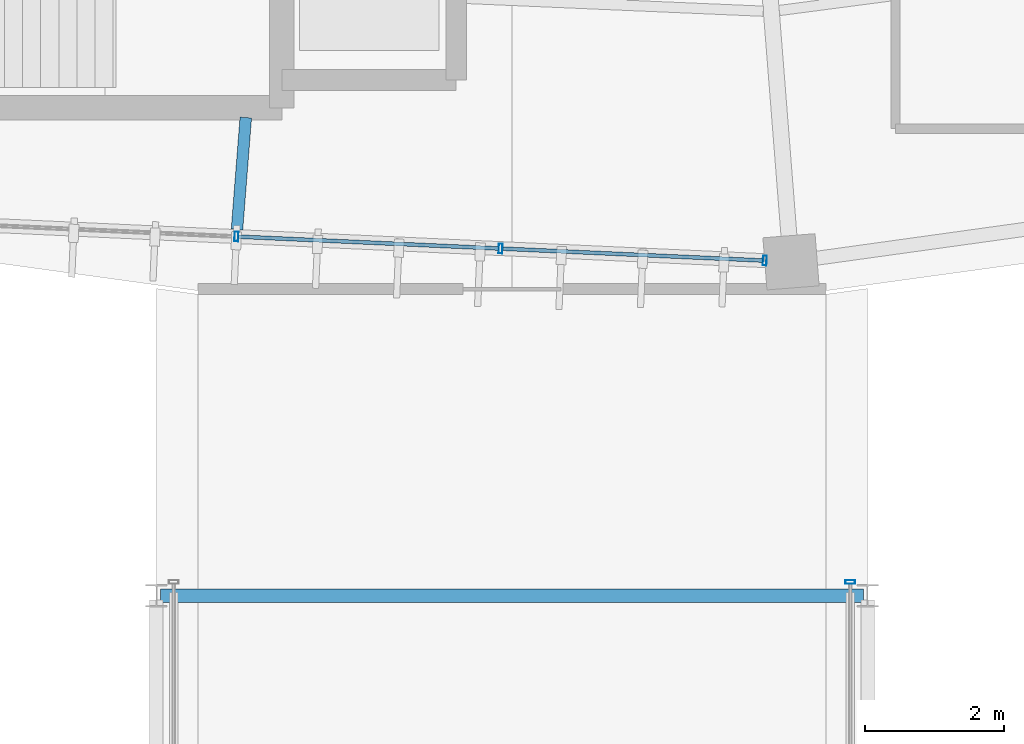
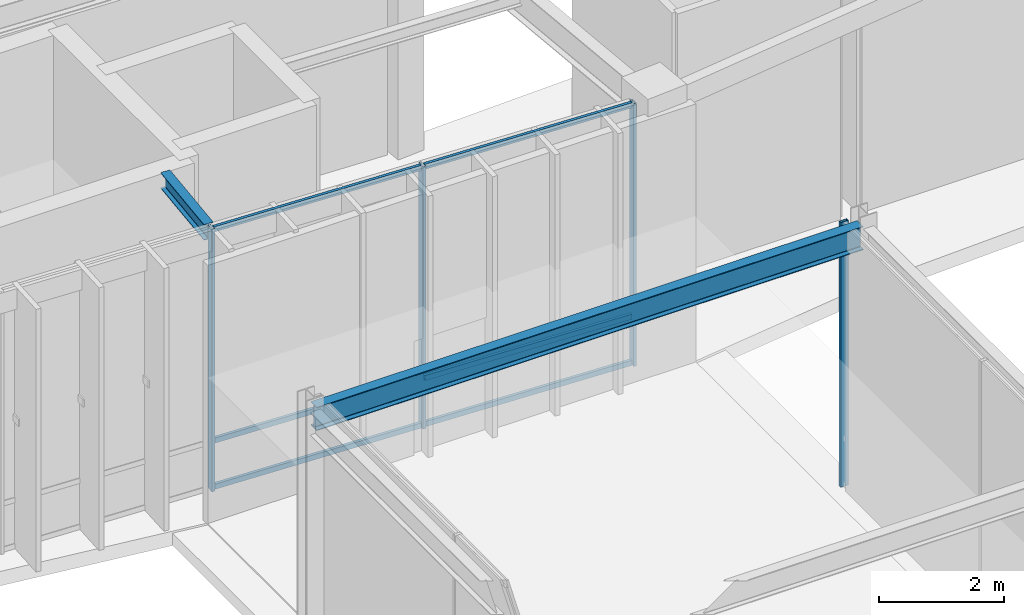
# One storey, part 37 of 157: 10 members, 2 beams, 2 elements without a shape of their own.
"""IFC4 building model written with IfcOpenShell, lengths in metres."""

from ifc_helpers import new_model, si_unit, direction, frame, origin, origin_2d, place, context, subcontext, project, spatial, hollow_rectangle, i_section, extrude, material, material_profile, profile_set, type_object, element, aggregate, save


model = new_model("IFC4")

# Units and contexts
model_context = context("Model", 3, precision=1e-05, world=origin(), true_north=direction((0.0, 1.0)))
body_context = subcontext(model_context, "Body", "Model", "MODEL_VIEW")
ifc_project = project(units=[si_unit("LENGTHUNIT", "METRE"), si_unit("AREAUNIT", "SQUARE_METRE"), si_unit("VOLUMEUNIT", "CUBIC_METRE"), si_unit("PLANEANGLEUNIT", "RADIAN"), si_unit("MASSUNIT", "GRAM", prefix="KILO"), si_unit("THERMODYNAMICTEMPERATUREUNIT", "KELVIN"), si_unit("POWERUNIT", "WATT")], contexts=[model_context])

# Site, building, storey
site_placement = place(None, origin())
site = spatial("IfcSite", under=ifc_project, at=site_placement, CompositionType="ELEMENT")
building_placement = place(site_placement, origin())
building = spatial("IfcBuilding", under=site, at=building_placement, Name="Darbajah Civic Hall", CompositionType="ELEMENT")
storey_placement = place(building_placement, origin())
storey = spatial("IfcBuildingStorey", under=building, at=storey_placement, Name="L00", CompositionType="ELEMENT", Elevation=0.0)

# Curtain wall, members
ifc_material_1 = material(Name="Anodised Bronze Aluminium and Low-E Glazing", Category="aluminium")
curtain_wall_type_1 = type_object("IfcCurtainWallType", Name="Unitised Curtain Wall CW-14 15200x5100", PredefinedType="USERDEFINED", material=ifc_material_1)
curtain_wall_1_placement = place(storey_placement, origin())
curtain_wall_1 = element("IfcCurtainWall", 1, at=curtain_wall_1_placement, inside=storey, type_object=curtain_wall_type_1, Name="L00 unitised curtain wall CW-V1O-L00-14", ObjectType="UNITISED CURTAIN WALL", PredefinedType="USERDEFINED")
ifc_material_2 = material(Name="Anodised Bronze Aluminium", Category="aluminium")
ifc_material_profile_1 = material_profile(ifc_material_2, hollow_rectangle(XDim=0.054931640625, YDim=0.139892578125, WallThickness=0.003173828125, at=origin_2d()), Name="ALU MULLION 55x140")
ifc_profile_set_1 = profile_set([ifc_material_profile_1], Name="Anodised Bronze Aluminium")
member_type_1 = type_object("IfcMemberType", Name="ALU MULLION 55x140", PredefinedType="MULLION", material=ifc_profile_set_1)
member_1_placement = place(storey_placement, frame((85.14794921875, 60.7529296875, 0.0), z_axis=(0.0, 0.0, 1.0), x_axis=(0.998962637241, -0.045537340693, 0.0)))
member_1 = element("IfcMember", 2, at=member_1_placement, type_object=member_type_1, Name="CW-V1O-L00-14 mullion 3", PredefinedType="MULLION", context=body_context, shape_type="SweptSolid", body=[
    extrude(hollow_rectangle(XDim=0.054931640625, YDim=0.139892578125, WallThickness=0.003173828125, at=origin_2d()), origin(), (0.0, 0.0, 1.0), 5.1201171875),
])
member_2_placement = place(storey_placement, frame((88.936279296875, 60.58056640625, 0.0), z_axis=(0.0, 0.0, 1.0), x_axis=(0.998962637241, -0.045537340693, 0.0)))
member_2 = element("IfcMember", 3, at=member_2_placement, type_object=member_type_1, Name="CW-V1O-L00-14 mullion 4", PredefinedType="MULLION", context=body_context, shape_type="SweptSolid", body=[
    extrude(hollow_rectangle(XDim=0.054931640625, YDim=0.139892578125, WallThickness=0.003173828125, at=origin_2d()), origin(), (0.0, 0.0, 1.0), 5.1201171875),
])
member_3_placement = place(storey_placement, frame((92.724853515625, 60.407958984375, 0.0), z_axis=(0.0, 0.0, 1.0), x_axis=(0.998962637241, -0.045537340693, 0.0)))
member_3 = element("IfcMember", 4, at=member_3_placement, type_object=member_type_1, Name="CW-V1O-L00-14 mullion 5", PredefinedType="MULLION", context=body_context, shape_type="SweptSolid", body=[
    extrude(hollow_rectangle(XDim=0.054931640625, YDim=0.139892578125, WallThickness=0.003173828125, at=origin_2d()), origin(), (0.0, 0.0, 1.0), 5.1201171875),
])

# Curtain wall, member
curtain_wall_type_2 = type_object("IfcCurtainWallType", Name="Unitised Curtain Wall CW-102 13400x5150", PredefinedType="USERDEFINED", material=ifc_material_1)
curtain_wall_2_placement = place(storey_placement, origin())
curtain_wall_2 = element("IfcCurtainWall", 5, at=curtain_wall_2_placement, inside=storey, type_object=curtain_wall_type_2, Name="L00 unitised curtain wall CW-V6-PE-L00", ObjectType="UNITISED CURTAIN WALL", PredefinedType="USERDEFINED")
member_4_placement = place(storey_placement, frame((93.949951171875, 55.800048828125, 0.0), z_axis=(0.0, 0.0, 1.0), x_axis=(0.0, 1.0, 0.0)))
member_4 = element("IfcMember", 6, at=member_4_placement, type_object=member_type_1, Name="CW-V6-PE-L00 mullion 4", PredefinedType="MULLION", context=body_context, shape_type="SweptSolid", body=[
    extrude(hollow_rectangle(XDim=0.054931640625, YDim=0.139892578125, WallThickness=0.003173828125, at=origin_2d()), origin(), (0.0, 0.0, 1.0), 5.159912109375),
])
aggregate(curtain_wall_2, [member_4])

# Member
ifc_material_profile_2 = material_profile(ifc_material_2, hollow_rectangle(XDim=0.054931640625, YDim=0.10009765625, WallThickness=0.0029296875, at=origin_2d()), Name="ALU TRANSOM 55x100")
ifc_profile_set_2 = profile_set([ifc_material_profile_2], Name="Anodised Bronze Aluminium")
member_type_2 = type_object("IfcMemberType", Name="ALU TRANSOM 55x100", PredefinedType="USERDEFINED", material=ifc_profile_set_2)
member_5_placement = place(storey_placement, frame((85.180419921875, 60.75146484375, 0.050048828125), z_axis=(0.998966242998, -0.045458171441, 0.0), x_axis=(0.045458171441, 0.998966242998, 0.0)))
member_5 = element("IfcMember", 7, at=member_5_placement, type_object=member_type_2, Name="CW-V1O-L00-14 transom 3.1", ObjectType="TRANSOM", PredefinedType="USERDEFINED", context=body_context, shape_type="SweptSolid", body=[
    extrude(hollow_rectangle(XDim=0.054931640625, YDim=0.10009765625, WallThickness=0.0029296875, at=origin_2d()), origin(), (0.0, 0.0, 1.0), 3.727294921875),
])

member_6_placement = place(storey_placement, frame((85.180419921875, 60.75146484375, 0.949951171875), z_axis=(0.998966242998, -0.045458171441, 0.0), x_axis=(0.045458171441, 0.998966242998, 0.0)))
member_6 = element("IfcMember", 8, at=member_6_placement, type_object=member_type_2, Name="CW-V1O-L00-14 transom 3.2", ObjectType="TRANSOM", PredefinedType="USERDEFINED", context=body_context, shape_type="SweptSolid", body=[
    extrude(hollow_rectangle(XDim=0.054931640625, YDim=0.10009765625, WallThickness=0.0029296875, at=origin_2d()), origin(), (0.0, 0.0, 1.0), 3.727294921875),
])

member_7_placement = place(storey_placement, frame((85.180419921875, 60.75146484375, 5.070068359375), z_axis=(0.998966242998, -0.045458171441, 0.0), x_axis=(0.045458171441, 0.998966242998, 0.0)))
member_7 = element("IfcMember", 9, at=member_7_placement, type_object=member_type_2, Name="CW-V1O-L00-14 transom 3.3", ObjectType="TRANSOM", PredefinedType="USERDEFINED", context=body_context, shape_type="SweptSolid", body=[
    extrude(hollow_rectangle(XDim=0.054931640625, YDim=0.10009765625, WallThickness=0.0029296875, at=origin_2d()), origin(), (0.0, 0.0, 1.0), 3.727294921875),
])

member_8_placement = place(storey_placement, frame((88.96875, 60.5791015625, 0.050048828125), z_axis=(0.998963402091, -0.045520558907, 0.0), x_axis=(0.045520558907, 0.998963402091, 0.0)))
member_8 = element("IfcMember", 10, at=member_8_placement, type_object=member_type_2, Name="CW-V1O-L00-14 transom 4.1", ObjectType="TRANSOM", PredefinedType="USERDEFINED", context=body_context, shape_type="SweptSolid", body=[
    extrude(hollow_rectangle(XDim=0.054931640625, YDim=0.10009765625, WallThickness=0.0029296875, at=origin_2d()), origin(), (0.0, 0.0, 1.0), 3.7275390625),
])

member_9_placement = place(storey_placement, frame((88.96875, 60.5791015625, 0.949951171875), z_axis=(0.998963402091, -0.045520558907, 0.0), x_axis=(0.045520558907, 0.998963402091, 0.0)))
member_9 = element("IfcMember", 11, at=member_9_placement, type_object=member_type_2, Name="CW-V1O-L00-14 transom 4.2", ObjectType="TRANSOM", PredefinedType="USERDEFINED", context=body_context, shape_type="SweptSolid", body=[
    extrude(hollow_rectangle(XDim=0.054931640625, YDim=0.10009765625, WallThickness=0.0029296875, at=origin_2d()), origin(), (0.0, 0.0, 1.0), 3.7275390625),
])

member_10_placement = place(storey_placement, frame((88.96875, 60.5791015625, 5.070068359375), z_axis=(0.998963402091, -0.045520558907, 0.0), x_axis=(0.045520558907, 0.998963402091, 0.0)))
member_10 = element("IfcMember", 12, at=member_10_placement, type_object=member_type_2, Name="CW-V1O-L00-14 transom 4.3", ObjectType="TRANSOM", PredefinedType="USERDEFINED", context=body_context, shape_type="SweptSolid", body=[
    extrude(hollow_rectangle(XDim=0.054931640625, YDim=0.10009765625, WallThickness=0.0029296875, at=origin_2d()), origin(), (0.0, 0.0, 1.0), 3.7275390625),
])

aggregate(curtain_wall_1, [member_1, member_2, member_3, member_5, member_6, member_7, member_8, member_9, member_10])

# Beams
ifc_material_3 = material(Name="Steel S355JR", Category="steel")
ifc_material_profile_3 = material_profile(ifc_material_3, i_section(OverallWidth=0.165771484375, OverallDepth=0.306640625, WebThickness=0.006591796875, FlangeThickness=0.01171875, FilletRadius=0.0087890625, at=origin_2d()), Name="UB 305x165x46")
ifc_profile_set_3 = profile_set([ifc_material_profile_3], Name="Steel S355JR")
beam_type_1 = type_object("IfcBeamType", Name="UB 305x165x46", PredefinedType="JOIST", material=ifc_profile_set_3)
beam_1_placement = place(storey_placement, frame((85.2822265625, 62.4599609375, 4.966796875), z_axis=(-0.078389217268, -0.996922830823, 0.0), x_axis=(0.996922830823, -0.078389217268, 0.0)))
element("IfcBeam", 13, at=beam_1_placement, inside=storey, type_object=beam_type_1, Name="L00 beam SJ-305", PredefinedType="JOIST", context=body_context, shape_type="SweptSolid", body=[
    extrude(i_section(OverallWidth=0.165771484375, OverallDepth=0.306640625, WebThickness=0.006591796875, FlangeThickness=0.01171875, FilletRadius=0.0087890625, at=origin_2d()), origin(), (0.0, 0.0, 1.0), 1.610107421875),
])
ifc_material_profile_4 = material_profile(ifc_material_3, i_section(OverallWidth=0.1904296875, OverallDepth=0.45703125, WebThickness=0.009033203125, FlangeThickness=0.014404296875, FilletRadius=0.01025390625, at=origin_2d()), Name="UB 457x191x74")
ifc_profile_set_4 = profile_set([ifc_material_profile_4], Name="Steel S355JR")
beam_type_2 = type_object("IfcBeamType", Name="UB 457x191x74", PredefinedType="BEAM", material=ifc_profile_set_4)
beam_2_placement = place(storey_placement, frame((84.06005859375, 55.60009765625, 4.931396484375), z_axis=(1.0, 0.0, 0.0), x_axis=(0.0, 1.0, 0.0)))
element("IfcBeam", 14, at=beam_2_placement, inside=storey, type_object=beam_type_2, Name="L00 beam SB-457", PredefinedType="BEAM", context=body_context, shape_type="SweptSolid", body=[
    extrude(i_section(OverallWidth=0.1904296875, OverallDepth=0.45703125, WebThickness=0.009033203125, FlangeThickness=0.014404296875, FilletRadius=0.01025390625, at=origin_2d()), origin(), (0.0, 0.0, 1.0), 10.079833984375),
])

save(model, "model.ifc")
